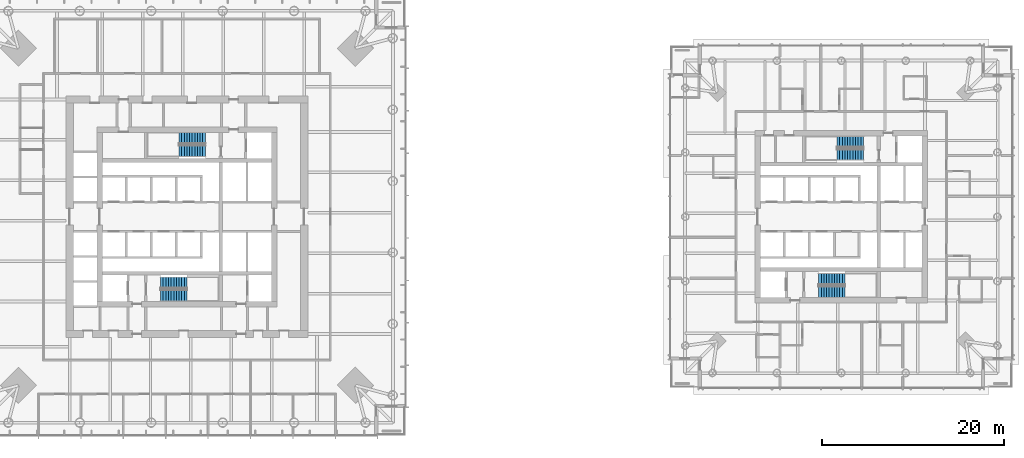
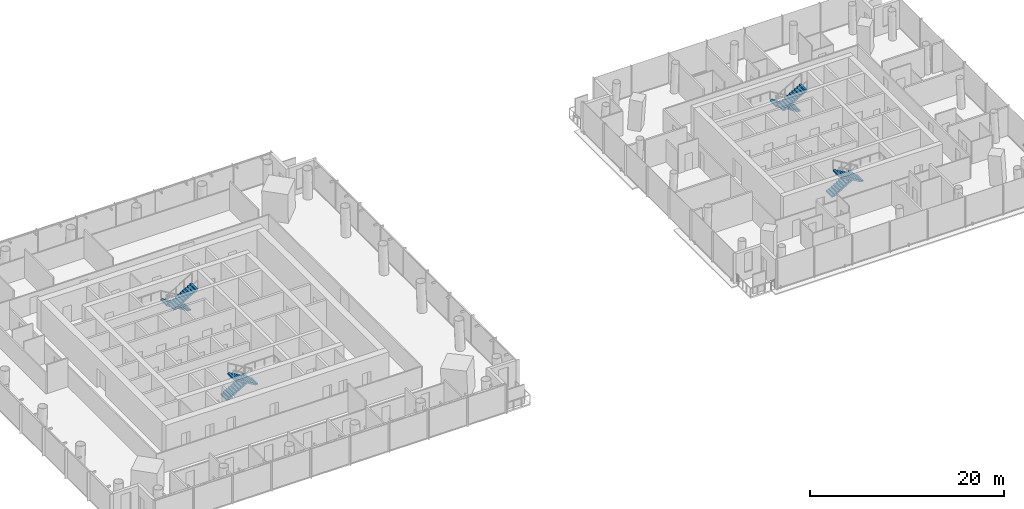
# One storey, part 16 of 22: 8 stair flights, 4 elements without a shape of their own.
"""IFC4 building model written with IfcOpenShell, lengths in metres."""

from ifc_helpers import new_model, si_unit, direction, frame, origin, place, context, subcontext, project, spatial, polyline, outline, extrude, material, type_object, element, aggregate, save


model = new_model("IFC4")

# Units and contexts
model_context = context("Model", 3, precision=1e-05, world=origin(), true_north=direction((0.0, 1.0)))
body_context = subcontext(model_context, "Body", "Model", "MODEL_VIEW")
ifc_project = project(units=[si_unit("LENGTHUNIT", "METRE"), si_unit("AREAUNIT", "SQUARE_METRE"), si_unit("VOLUMEUNIT", "CUBIC_METRE"), si_unit("PLANEANGLEUNIT", "RADIAN"), si_unit("MASSUNIT", "GRAM", prefix="KILO")], contexts=[model_context])

# Site, building, storey
site_placement = place(None, origin())
site = spatial("IfcSite", under=ifc_project, at=site_placement, CompositionType="ELEMENT")
building_placement = place(site_placement, origin())
building = spatial("IfcBuilding", under=site, at=building_placement, Name="Ostroluk Exchange", CompositionType="ELEMENT")
storey_placement = place(building_placement, frame((0.0, 0.0, 62.800048828125)))
storey = spatial("IfcBuildingStorey", under=building, at=storey_placement, Name="L15", CompositionType="ELEMENT", Elevation=62.800048828125)

# Stair, stair flights
ifc_material_1 = material(Name="Concrete C30/37", Category="concrete")
stair_type = type_object("IfcStairType", Name="Exit stair half turn 3800", PredefinedType="HALF_TURN_STAIR", material=ifc_material_1)
stair_1_placement = place(storey_placement, origin())
stair_1 = element("IfcStair", 1, at=stair_1_placement, inside=storey, type_object=stair_type, Name="Stair T1-S1 L15", PredefinedType="HALF_TURN_STAIR")
ifc_material_2 = material(Name="Concrete C30/37", Category="concrete")
stair_flight_type = type_object("IfcStairFlightType", Name="Stair flight 11 risers 172.7 x 290", PredefinedType="STRAIGHT", material=ifc_material_2)
stair_flight_1_placement = place(storey_placement, frame((42.10009765625, 38.77490234375, 0.0), z_axis=(0.0, 0.0, 1.0), x_axis=(1.0, 0.0, 0.0)))
stair_flight_1 = element("IfcStairFlight", 2, at=stair_flight_1_placement, type_object=stair_flight_type, Name="T1-S1 flight 1", NumberOfRisers=11, NumberOfTreads=10, PredefinedType="STRAIGHT", RiserHeight=0.172727273, TreadLength=0.29, context=body_context, shape_type="SweptSolid", body=[
    extrude(outline(polyline([(0.0, 0.0), (0.0, 0.172607421875), (0.2900390625, 0.172607421875), (0.2900390625, 0.345458984375), (0.580078125, 0.345458984375), (0.580078125, 0.51806640625), (0.8701171875, 0.51806640625), (0.8701171875, 0.69091796875), (1.159912109375, 0.69091796875), (1.159912109375, 0.863525390625), (1.449951171875, 0.863525390625), (1.449951171875, 1.036376953125), (1.739990234375, 1.036376953125), (1.739990234375, 1.208984375), (2.030029296875, 1.208984375), (2.030029296875, 1.3818359375), (2.320068359375, 1.3818359375), (2.320068359375, 1.554443359375), (2.610107421875, 1.554443359375), (2.610107421875, 1.727294921875), (2.89990234375, 1.727294921875), (2.89990234375, 1.89990234375), (2.89990234375, 1.552734375), (0.29296875, 0.0), (0.0, 0.0)])), frame((0.0, 0.625, 0.0), z_axis=(0.0, -1.0, 0.0), x_axis=(1.0, 0.0, 0.0)), (0.0, 0.0, 1.0), 1.25),
])
stair_flight_2_placement = place(storey_placement, frame((45.0, 37.324951171875, 1.89990234375), z_axis=(0.0, 0.0, 1.0), x_axis=(-1.0, 0.0, 0.0)))
stair_flight_2 = element("IfcStairFlight", 3, at=stair_flight_2_placement, type_object=stair_flight_type, Name="T1-S1 flight 2", NumberOfRisers=11, NumberOfTreads=10, PredefinedType="STRAIGHT", RiserHeight=0.172727273, TreadLength=0.29, context=body_context, shape_type="SweptSolid", body=[
    extrude(outline(polyline([(0.0, 0.0), (0.0, 0.172607421875), (0.2900390625, 0.172607421875), (0.2900390625, 0.345458984375), (0.580078125, 0.345458984375), (0.580078125, 0.51806640625), (0.8701171875, 0.51806640625), (0.8701171875, 0.69091796875), (1.159912109375, 0.69091796875), (1.159912109375, 0.863525390625), (1.449951171875, 0.863525390625), (1.449951171875, 1.036376953125), (1.739990234375, 1.036376953125), (1.739990234375, 1.208984375), (2.030029296875, 1.208984375), (2.030029296875, 1.3818359375), (2.320068359375, 1.3818359375), (2.320068359375, 1.554443359375), (2.610107421875, 1.554443359375), (2.610107421875, 1.727294921875), (2.89990234375, 1.727294921875), (2.89990234375, 1.89990234375), (2.89990234375, 1.552734375), (0.29296875, 0.0), (0.0, 0.0)])), frame((0.0, 0.625, 0.0), z_axis=(0.0, -1.0, 0.0), x_axis=(1.0, 0.0, 0.0)), (0.0, 0.0, 1.0), 1.25),
])
aggregate(stair_1, [stair_flight_1, stair_flight_2])

stair_2_placement = place(storey_placement, origin())
stair_2 = element("IfcStair", 4, at=stair_2_placement, inside=storey, type_object=stair_type, Name="Stair T1-S2 L15", PredefinedType="HALF_TURN_STAIR")
stair_flight_3_placement = place(storey_placement, frame((47.030029296875, 54.675048828125, 0.0), z_axis=(0.0, 0.0, 1.0), x_axis=(-1.0, 0.0, 0.0)))
stair_flight_3 = element("IfcStairFlight", 5, at=stair_flight_3_placement, type_object=stair_flight_type, Name="T1-S2 flight 1", NumberOfRisers=11, NumberOfTreads=10, PredefinedType="STRAIGHT", RiserHeight=0.172727273, TreadLength=0.29, context=body_context, shape_type="SweptSolid", body=[
    extrude(outline(polyline([(0.0, 0.0), (0.0, 0.172607421875), (0.2900390625, 0.172607421875), (0.2900390625, 0.345458984375), (0.580078125, 0.345458984375), (0.580078125, 0.51806640625), (0.8701171875, 0.51806640625), (0.8701171875, 0.69091796875), (1.159912109375, 0.69091796875), (1.159912109375, 0.863525390625), (1.449951171875, 0.863525390625), (1.449951171875, 1.036376953125), (1.739990234375, 1.036376953125), (1.739990234375, 1.208984375), (2.030029296875, 1.208984375), (2.030029296875, 1.3818359375), (2.320068359375, 1.3818359375), (2.320068359375, 1.554443359375), (2.610107421875, 1.554443359375), (2.610107421875, 1.727294921875), (2.89990234375, 1.727294921875), (2.89990234375, 1.89990234375), (2.89990234375, 1.552734375), (0.29296875, 0.0), (0.0, 0.0)])), frame((0.0, 0.625, 0.0), z_axis=(0.0, -1.0, 0.0), x_axis=(1.0, 0.0, 0.0)), (0.0, 0.0, 1.0), 1.25),
])
stair_flight_4_placement = place(storey_placement, frame((44.1298828125, 53.22509765625, 1.89990234375), z_axis=(0.0, 0.0, 1.0), x_axis=(1.0, 0.0, 0.0)))
stair_flight_4 = element("IfcStairFlight", 6, at=stair_flight_4_placement, type_object=stair_flight_type, Name="T1-S2 flight 2", NumberOfRisers=11, NumberOfTreads=10, PredefinedType="STRAIGHT", RiserHeight=0.172727273, TreadLength=0.29, context=body_context, shape_type="SweptSolid", body=[
    extrude(outline(polyline([(0.0, 0.0), (0.0, 0.172607421875), (0.2900390625, 0.172607421875), (0.2900390625, 0.345458984375), (0.580078125, 0.345458984375), (0.580078125, 0.51806640625), (0.8701171875, 0.51806640625), (0.8701171875, 0.69091796875), (1.159912109375, 0.69091796875), (1.159912109375, 0.863525390625), (1.449951171875, 0.863525390625), (1.449951171875, 1.036376953125), (1.739990234375, 1.036376953125), (1.739990234375, 1.208984375), (2.030029296875, 1.208984375), (2.030029296875, 1.3818359375), (2.320068359375, 1.3818359375), (2.320068359375, 1.554443359375), (2.610107421875, 1.554443359375), (2.610107421875, 1.727294921875), (2.89990234375, 1.727294921875), (2.89990234375, 1.89990234375), (2.89990234375, 1.552734375), (0.29296875, 0.0), (0.0, 0.0)])), frame((0.0, 0.625, 0.0), z_axis=(0.0, -1.0, 0.0), x_axis=(1.0, 0.0, 0.0)), (0.0, 0.0, 1.0), 1.25),
])
aggregate(stair_2, [stair_flight_3, stair_flight_4])

stair_3_placement = place(storey_placement, origin())
stair_3 = element("IfcStair", 7, at=stair_3_placement, inside=storey, type_object=stair_type, Name="Stair T2-S1 L15", PredefinedType="HALF_TURN_STAIR")
stair_flight_5_placement = place(storey_placement, frame((114.5, 39.175048828125, 0.0), z_axis=(0.0, 0.0, 1.0), x_axis=(1.0, 0.0, 0.0)))
stair_flight_5 = element("IfcStairFlight", 8, at=stair_flight_5_placement, type_object=stair_flight_type, Name="T2-S1 flight 1", NumberOfRisers=11, NumberOfTreads=10, PredefinedType="STRAIGHT", RiserHeight=0.172727273, TreadLength=0.29, context=body_context, shape_type="SweptSolid", body=[
    extrude(outline(polyline([(0.0, 0.0), (0.0, 0.172607421875), (0.2900390625, 0.172607421875), (0.2900390625, 0.345458984375), (0.580078125, 0.345458984375), (0.580078125, 0.51806640625), (0.8701171875, 0.51806640625), (0.8701171875, 0.69091796875), (1.159912109375, 0.69091796875), (1.159912109375, 0.863525390625), (1.449951171875, 0.863525390625), (1.449951171875, 1.036376953125), (1.739990234375, 1.036376953125), (1.739990234375, 1.208984375), (2.030029296875, 1.208984375), (2.030029296875, 1.3818359375), (2.320068359375, 1.3818359375), (2.320068359375, 1.554443359375), (2.610107421875, 1.554443359375), (2.610107421875, 1.727294921875), (2.89990234375, 1.727294921875), (2.89990234375, 1.89990234375), (2.89990234375, 1.552734375), (0.29296875, 0.0), (0.0, 0.0)])), frame((0.0, 0.625, 0.0), z_axis=(0.0, -1.0, 0.0), x_axis=(1.0, 0.0, 0.0)), (0.0, 0.0, 1.0), 1.25),
])
stair_flight_6_placement = place(storey_placement, frame((117.39990234375, 37.72509765625, 1.89990234375), z_axis=(0.0, 0.0, 1.0), x_axis=(-1.0, 0.0, 0.0)))
stair_flight_6 = element("IfcStairFlight", 9, at=stair_flight_6_placement, type_object=stair_flight_type, Name="T2-S1 flight 2", NumberOfRisers=11, NumberOfTreads=10, PredefinedType="STRAIGHT", RiserHeight=0.172727273, TreadLength=0.29, context=body_context, shape_type="SweptSolid", body=[
    extrude(outline(polyline([(0.0, 0.0), (0.0, 0.172607421875), (0.2900390625, 0.172607421875), (0.2900390625, 0.345458984375), (0.580078125, 0.345458984375), (0.580078125, 0.51806640625), (0.8701171875, 0.51806640625), (0.8701171875, 0.69091796875), (1.159912109375, 0.69091796875), (1.159912109375, 0.863525390625), (1.449951171875, 0.863525390625), (1.449951171875, 1.036376953125), (1.739990234375, 1.036376953125), (1.739990234375, 1.208984375), (2.030029296875, 1.208984375), (2.030029296875, 1.3818359375), (2.320068359375, 1.3818359375), (2.320068359375, 1.554443359375), (2.610107421875, 1.554443359375), (2.610107421875, 1.727294921875), (2.89990234375, 1.727294921875), (2.89990234375, 1.89990234375), (2.89990234375, 1.552734375), (0.29296875, 0.0), (0.0, 0.0)])), frame((0.0, 0.625, 0.0), z_axis=(0.0, -1.0, 0.0), x_axis=(1.0, 0.0, 0.0)), (0.0, 0.0, 1.0), 1.25),
])
aggregate(stair_3, [stair_flight_5, stair_flight_6])

stair_4_placement = place(storey_placement, origin())
stair_4 = element("IfcStair", 10, at=stair_4_placement, inside=storey, type_object=stair_type, Name="Stair T2-S2 L15", PredefinedType="HALF_TURN_STAIR")
stair_flight_7_placement = place(storey_placement, frame((119.429931640625, 54.27490234375, 0.0), z_axis=(0.0, 0.0, 1.0), x_axis=(-1.0, 0.0, 0.0)))
stair_flight_7 = element("IfcStairFlight", 11, at=stair_flight_7_placement, type_object=stair_flight_type, Name="T2-S2 flight 1", NumberOfRisers=11, NumberOfTreads=10, PredefinedType="STRAIGHT", RiserHeight=0.172727273, TreadLength=0.29, context=body_context, shape_type="SweptSolid", body=[
    extrude(outline(polyline([(0.0, 0.0), (0.0, 0.172607421875), (0.2900390625, 0.172607421875), (0.2900390625, 0.345458984375), (0.580078125, 0.345458984375), (0.580078125, 0.51806640625), (0.8701171875, 0.51806640625), (0.8701171875, 0.69091796875), (1.159912109375, 0.69091796875), (1.159912109375, 0.863525390625), (1.449951171875, 0.863525390625), (1.449951171875, 1.036376953125), (1.739990234375, 1.036376953125), (1.739990234375, 1.208984375), (2.030029296875, 1.208984375), (2.030029296875, 1.3818359375), (2.320068359375, 1.3818359375), (2.320068359375, 1.554443359375), (2.610107421875, 1.554443359375), (2.610107421875, 1.727294921875), (2.89990234375, 1.727294921875), (2.89990234375, 1.89990234375), (2.89990234375, 1.552734375), (0.29296875, 0.0), (0.0, 0.0)])), frame((0.0, 0.625, 0.0), z_axis=(0.0, -1.0, 0.0), x_axis=(1.0, 0.0, 0.0)), (0.0, 0.0, 1.0), 1.25),
])
stair_flight_8_placement = place(storey_placement, frame((116.530029296875, 52.824951171875, 1.89990234375), z_axis=(0.0, 0.0, 1.0), x_axis=(1.0, 0.0, 0.0)))
stair_flight_8 = element("IfcStairFlight", 12, at=stair_flight_8_placement, type_object=stair_flight_type, Name="T2-S2 flight 2", NumberOfRisers=11, NumberOfTreads=10, PredefinedType="STRAIGHT", RiserHeight=0.172727273, TreadLength=0.29, context=body_context, shape_type="SweptSolid", body=[
    extrude(outline(polyline([(0.0, 0.0), (0.0, 0.172607421875), (0.2900390625, 0.172607421875), (0.2900390625, 0.345458984375), (0.580078125, 0.345458984375), (0.580078125, 0.51806640625), (0.8701171875, 0.51806640625), (0.8701171875, 0.69091796875), (1.159912109375, 0.69091796875), (1.159912109375, 0.863525390625), (1.449951171875, 0.863525390625), (1.449951171875, 1.036376953125), (1.739990234375, 1.036376953125), (1.739990234375, 1.208984375), (2.030029296875, 1.208984375), (2.030029296875, 1.3818359375), (2.320068359375, 1.3818359375), (2.320068359375, 1.554443359375), (2.610107421875, 1.554443359375), (2.610107421875, 1.727294921875), (2.89990234375, 1.727294921875), (2.89990234375, 1.89990234375), (2.89990234375, 1.552734375), (0.29296875, 0.0), (0.0, 0.0)])), frame((0.0, 0.625, 0.0), z_axis=(0.0, -1.0, 0.0), x_axis=(1.0, 0.0, 0.0)), (0.0, 0.0, 1.0), 1.25),
])
aggregate(stair_4, [stair_flight_7, stair_flight_8])

save(model, "model.ifc")
